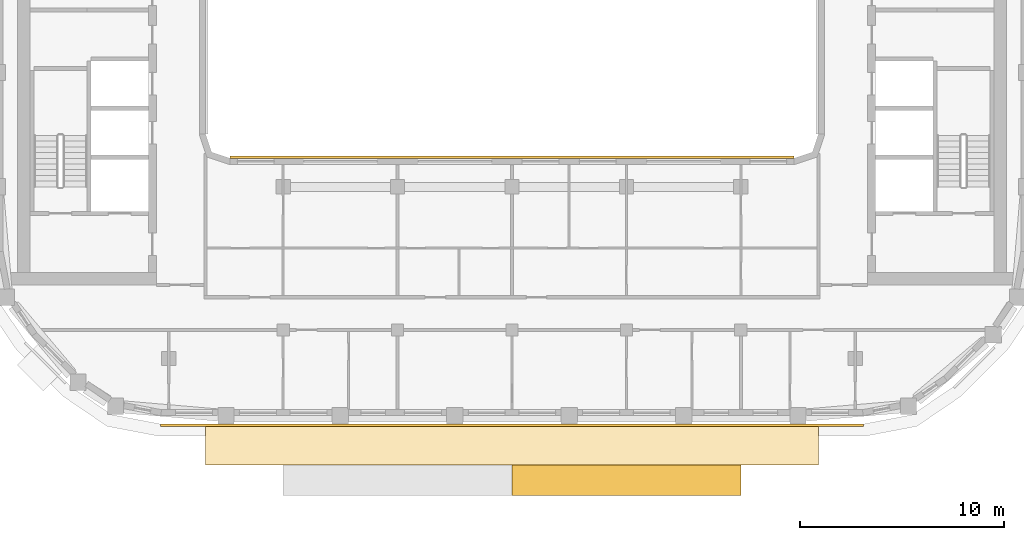
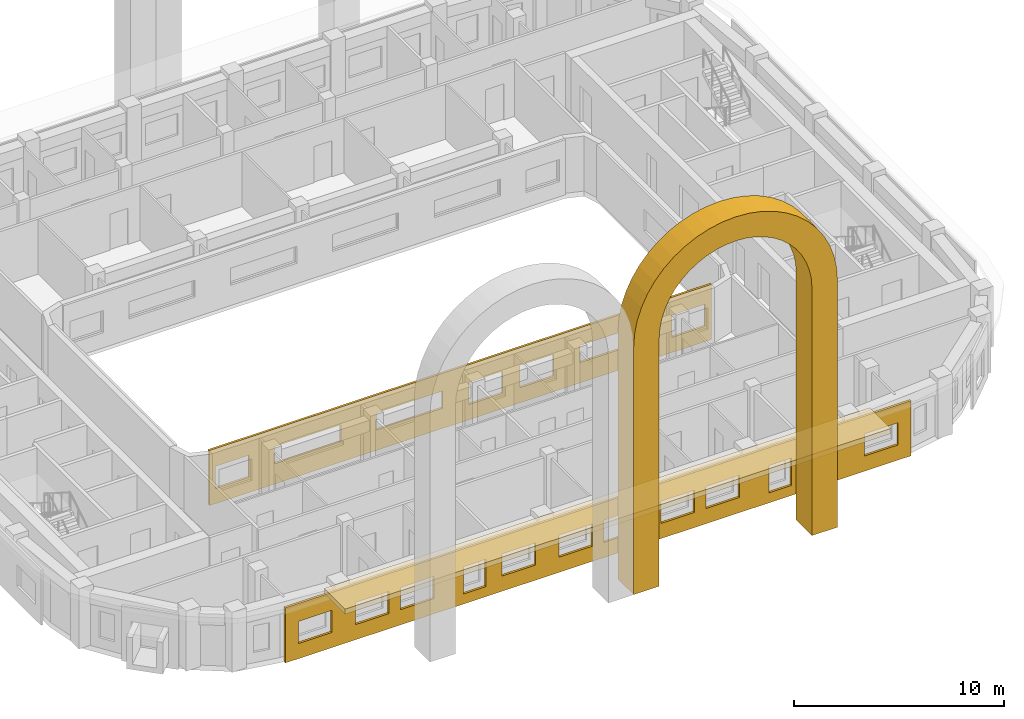
# One storey, part 11 of 18: 4 coverings.
"""IFC4 building model written with IfcOpenShell, lengths in metres."""

from ifc_helpers import new_model, si_unit, direction, frame, origin, place, context, subcontext, project, spatial, polyline, outline, extrude, material, layer, layer_set, type_object, element, save


model = new_model("IFC4")

# Units and contexts
model_context = context("Model", 3, precision=1e-05, world=origin(), true_north=direction((0.0, 1.0)))
body_context = subcontext(model_context, "Body", "Model", "MODEL_VIEW")
ifc_project = project(units=[si_unit("LENGTHUNIT", "METRE"), si_unit("AREAUNIT", "SQUARE_METRE"), si_unit("VOLUMEUNIT", "CUBIC_METRE"), si_unit("PLANEANGLEUNIT", "RADIAN"), si_unit("MASSUNIT", "GRAM", prefix="KILO")], contexts=[model_context])

# Site, building, storey
site_placement = place(None, origin())
site = spatial("IfcSite", under=ifc_project, at=site_placement, CompositionType="ELEMENT")
building_placement = place(site_placement, origin())
building = spatial("IfcBuilding", under=site, at=building_placement, Name="Kiln Ring Residences", CompositionType="ELEMENT")
storey_placement = place(building_placement, frame((0.0, 0.0, 262.699951171875)))
storey = spatial("IfcBuildingStorey", under=building, at=storey_placement, Name="L68", CompositionType="ELEMENT", Elevation=262.699951171875)

# Coverings
ifc_material_1 = material(Name="Brick masonry, dark clay brick", Category="masonry")
ifc_layer_1 = layer(ifc_material_1, 1.39990234375)
ifc_layer_set_1 = layer_set([ifc_layer_1], Name="ARCH SURROUND 1500")
covering_type_1 = type_object("IfcCoveringType", Name="ARCH SURROUND 1500", PredefinedType="CLADDING", material=ifc_layer_set_1)
covering_1_placement = place(storey_placement, frame((11.199951171875, -22.75, 0.0), z_axis=(0.0, 0.0, 1.0), x_axis=(-1.0, 0.0, 0.0)))
element("IfcCovering", 1, at=covering_1_placement, inside=storey, type_object=covering_type_1, Name="ARCH SURROUND Z5 S2.2", PredefinedType="CLADDING", context=body_context, shape_type="SweptSolid", body=[
    extrude(outline(polyline([(11.199951171875, 0.0), (11.199951171875, 14.400146484375), (11.152099609375, 15.130859375), (11.00927734375, 15.849365234375), (10.773681640625, 16.54296875), (10.44970703125, 17.199951171875), (10.042724609375, 17.80908203125), (9.559814453125, 18.35986328125), (9.009033203125, 18.8427734375), (8.39990234375, 19.249755859375), (7.742919921875, 19.57373046875), (7.04931640625, 19.809326171875), (6.330810546875, 19.9521484375), (5.60009765625, 20.0), (4.869140625, 19.9521484375), (4.150634765625, 19.809326171875), (3.45703125, 19.57373046875), (2.800048828125, 19.249755859375), (2.19091796875, 18.8427734375), (1.64013671875, 18.35986328125), (1.1572265625, 17.80908203125), (0.750244140625, 17.199951171875), (0.42626953125, 16.54296875), (0.19091796875, 15.849365234375), (0.0478515625, 15.130859375), (0.0, 14.400146484375), (0.0, 0.0), (1.39990234375, 0.0), (1.39990234375, 14.400146484375), (1.435791015625, 14.9482421875), (1.543212890625, 15.487060546875), (1.7197265625, 16.00732421875), (1.962646484375, 16.5), (2.267822265625, 16.956787109375), (2.630126953125, 17.369873046875), (3.043212890625, 17.732177734375), (3.5, 18.037353515625), (3.99267578125, 18.2802734375), (4.512939453125, 18.45703125), (5.0517578125, 18.564208984375), (5.60009765625, 18.60009765625), (6.148193359375, 18.564208984375), (6.68701171875, 18.45703125), (7.207275390625, 18.2802734375), (7.699951171875, 18.037353515625), (8.15673828125, 17.732177734375), (8.56982421875, 17.369873046875), (8.93212890625, 16.956787109375), (9.2373046875, 16.5), (9.480224609375, 16.00732421875), (9.656982421875, 15.487060546875), (9.76416015625, 14.9482421875), (9.800048828125, 14.400146484375), (9.800048828125, 0.0), (11.199951171875, 0.0)])), frame((0.0, 0.75, 0.0), z_axis=(0.0, -1.0, 0.0), x_axis=(1.0, 0.0, 0.0)), (0.0, 0.0, 1.0), 1.5),
])
ifc_material_2 = material(Name="Brick masonry, dark clay brick", Category="masonry")
ifc_layer_2 = layer(ifc_material_2, 0.1201171875)
ifc_layer_set_2 = layer_set([ifc_layer_2], Name="RAINSCREEN PANEL 120")
covering_type_2 = type_object("IfcCoveringType", Name="RAINSCREEN PANEL 120", PredefinedType="CLADDING", material=ifc_layer_set_2)
covering_2_placement = place(storey_placement, frame((-17.199951171875, -20.06005859375, 0.0), z_axis=(0.0, 0.0, 1.0), x_axis=(1.0, 0.0, 0.0)))
element("IfcCovering", 2, at=covering_2_placement, inside=storey, type_object=covering_type_2, Name="RAINSCREEN L68", PredefinedType="CLADDING", context=body_context, shape_type="SweptSolid", body=[
    extrude(outline(polyline([(0.0, 0.0), (34.39990234375, 0.0), (34.39990234375, 3.199951171875), (0.0, 3.199951171875), (0.0, 0.0)]), holes=[polyline([(9.780029296875, 0.580078125), (11.02001953125, 0.580078125), (11.02001953125, 2.170166015625), (9.780029296875, 2.170166015625), (9.780029296875, 0.580078125)]), polyline([(0.717529296875, 2.170166015625), (0.717529296875, 0.880126953125), (2.5576171875, 0.880126953125), (2.5576171875, 2.170166015625), (0.717529296875, 2.170166015625)]), polyline([(3.842529296875, 2.170166015625), (3.842529296875, 0.880126953125), (5.6826171875, 0.880126953125), (5.6826171875, 2.170166015625), (3.842529296875, 2.170166015625)]), polyline([(6.3173828125, 0.880126953125), (8.157470703125, 0.880126953125), (8.157470703125, 2.170166015625), (6.3173828125, 2.170166015625), (6.3173828125, 0.880126953125)]), polyline([(11.91748046875, 2.170166015625), (11.91748046875, 0.880126953125), (13.757568359375, 0.880126953125), (13.757568359375, 2.170166015625), (11.91748046875, 2.170166015625)]), polyline([(15.04248046875, 2.170166015625), (15.04248046875, 0.880126953125), (16.882568359375, 0.880126953125), (16.882568359375, 2.170166015625), (15.04248046875, 2.170166015625)]), polyline([(26.580078125, 0.580078125), (27.820068359375, 0.580078125), (27.820068359375, 2.170166015625), (26.580078125, 2.170166015625), (26.580078125, 0.580078125)]), polyline([(28.97998046875, 2.170166015625), (28.97998046875, 0.580078125), (30.219970703125, 0.580078125), (30.219970703125, 2.170166015625), (28.97998046875, 2.170166015625)]), polyline([(17.517578125, 2.170166015625), (17.517578125, 0.880126953125), (19.357421875, 0.880126953125), (19.357421875, 2.170166015625), (17.517578125, 2.170166015625)]), polyline([(20.642578125, 0.880126953125), (22.482421875, 0.880126953125), (22.482421875, 2.170166015625), (20.642578125, 2.170166015625), (20.642578125, 0.880126953125)]), polyline([(23.117431640625, 2.170166015625), (23.117431640625, 0.880126953125), (24.95751953125, 0.880126953125), (24.95751953125, 2.170166015625), (23.117431640625, 2.170166015625)]), polyline([(31.842529296875, 2.170166015625), (31.842529296875, 0.880126953125), (33.6826171875, 0.880126953125), (33.6826171875, 2.170166015625), (31.842529296875, 2.170166015625)])]), frame((0.0, 0.06005859375, 0.0), z_axis=(0.0, -1.0, 0.0), x_axis=(1.0, 0.0, 0.0)), (0.0, 0.0, 1.0), 0.1201171875),
])
covering_3_placement = place(storey_placement, frame((13.800048828125, -6.93994140625, 0.0), z_axis=(0.0, 0.0, 1.0), x_axis=(-1.0, 0.0, 0.0)))
element("IfcCovering", 3, at=covering_3_placement, inside=storey, type_object=covering_type_2, Name="RAINSCREEN L68", PredefinedType="CLADDING", context=body_context, shape_type="SweptSolid", body=[
    extrude(outline(polyline([(0.0, 0.0), (27.60009765625, 0.0), (27.60009765625, 3.199951171875), (0.0, 3.199951171875), (0.0, 0.0)]), holes=[polyline([(2.1826171875, 0.880126953125), (2.1826171875, 2.170166015625), (0.342529296875, 2.170166015625), (0.342529296875, 0.880126953125), (2.1826171875, 0.880126953125)]), polyline([(8.679931640625, 0.880126953125), (10.52001953125, 0.880126953125), (10.52001953125, 2.170166015625), (8.679931640625, 2.170166015625), (8.679931640625, 0.880126953125)]), polyline([(11.47998046875, 0.880126953125), (13.320068359375, 0.880126953125), (13.320068359375, 2.170166015625), (11.47998046875, 2.170166015625), (11.47998046875, 0.880126953125)]), polyline([(25.41748046875, 0.880126953125), (27.257568359375, 0.880126953125), (27.257568359375, 2.170166015625), (25.41748046875, 2.170166015625), (25.41748046875, 0.880126953125)]), polyline([(3.580078125, 1.179931640625), (7.219970703125, 1.179931640625), (7.219970703125, 2.170166015625), (3.580078125, 2.170166015625), (3.580078125, 1.179931640625)]), polyline([(14.780029296875, 1.179931640625), (18.419921875, 1.179931640625), (18.419921875, 2.170166015625), (14.780029296875, 2.170166015625), (14.780029296875, 1.179931640625)]), polyline([(20.3798828125, 1.179931640625), (24.02001953125, 1.179931640625), (24.02001953125, 2.170166015625), (20.3798828125, 2.170166015625), (20.3798828125, 1.179931640625)])]), frame((0.0, 0.06005859375, 0.0), z_axis=(0.0, -1.0, 0.0), x_axis=(1.0, 0.0, 0.0)), (0.0, 0.0, 1.0), 0.1201171875),
])
ifc_material_3 = material(Name="Black powder-coated steel", Category="steel")
ifc_layer_3 = layer(ifc_material_3, 0.300048828125)
ifc_layer_set_3 = layer_set([ifc_layer_3], Name="SUNSHADE BAND 2000")
covering_type_3 = type_object("IfcCoveringType", Name="SUNSHADE BAND 2000", PredefinedType="CLADDING", material=ifc_layer_set_3)
covering_4_placement = place(storey_placement, frame((0.0, 0.0, 3.199951171875)))
element("IfcCovering", 4, at=covering_4_placement, inside=storey, type_object=covering_type_3, Name="SUNSHADE BAND L68", PredefinedType="CLADDING", context=body_context, shape_type="SweptSolid", body=[
    extrude(outline(polyline([(-15.0, -22.0), (15.0, -22.0), (15.0, -20.0), (-15.0, -20.0), (-15.0, -22.0)])), origin(), (0.0, 0.0, 1.0), 0.300048828125),
])

save(model, "model.ifc")
